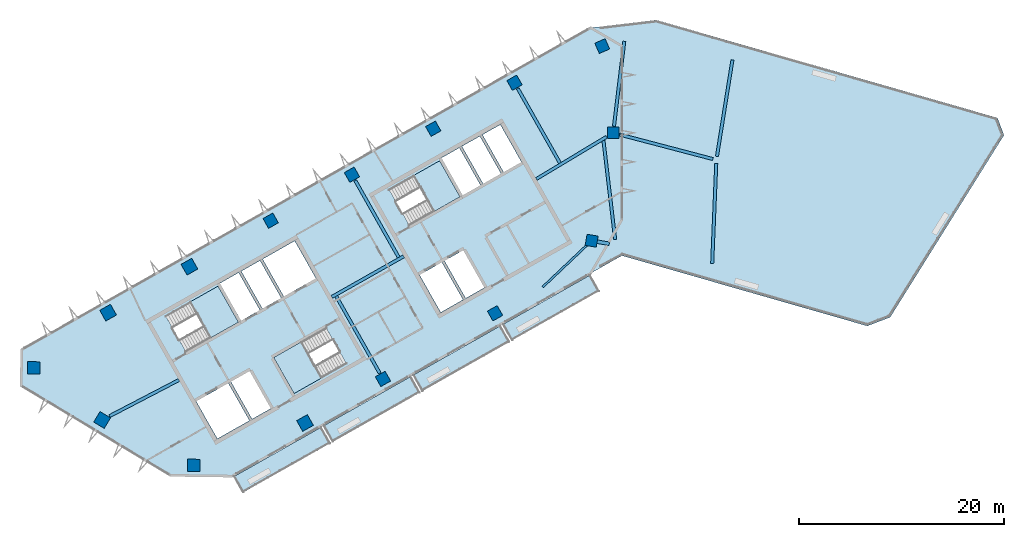
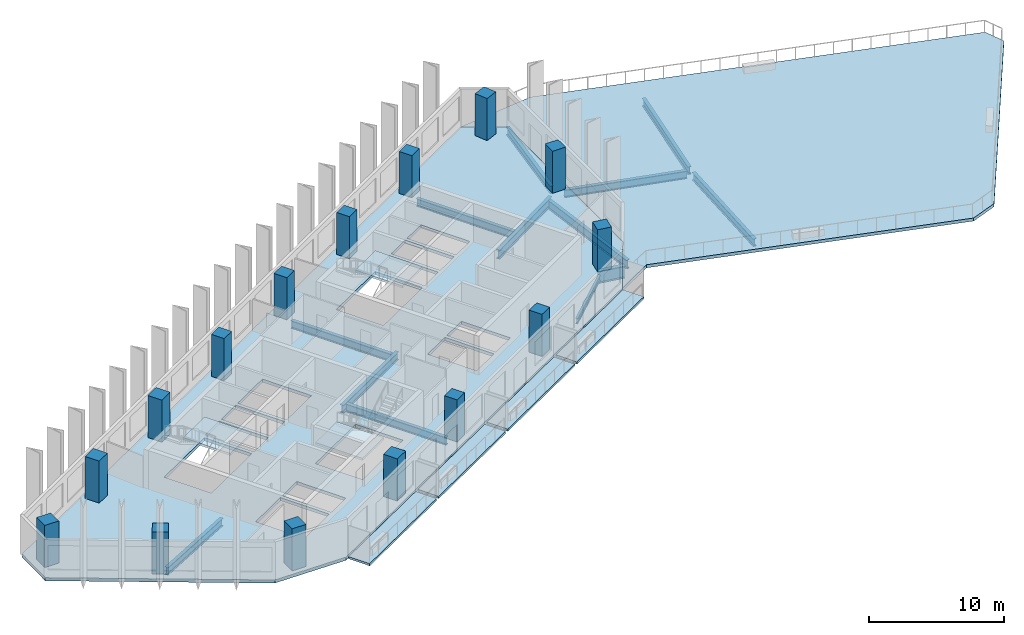
# One storey, part 1 of 8: 15 columns, 13 beams, 9 slabs, 3 elements without a shape of their own.
"""IFC4 building model written with IfcOpenShell, lengths in metres."""

import ifcopenshell
import ifcopenshell.guid

model = None  # the IFC model being written
_history = None  # IfcOwnerHistory: only IFC2X3 demands one
_inside = {}  # id of a spatial element -> (the spatial element, [elements in it])
_under = {}  # id of a project, library or spatial element -> (it, [spatial elements below it])
_declared = {}  # id of a project -> (the project, [libraries it declares])
_typed = {}  # id of a type object -> (the type object, [elements of that type])
_made_of = {}  # id of a material, layer set ... -> (it, [elements and type objects made of it])


def new_model(schema):
    """Start an empty IFC model of exactly this schema.

    Asked for "IFC4X3", IfcOpenShell would pick the latest addendum, in which some entities
    have other attributes; the version numbers below select the first issue.
    IFC2X3 requires an IfcOwnerHistory on every rooted entity: one is made here for all.
    """
    global model, _history
    if schema == "IFC4X3":
        model = ifcopenshell.file(schema_version=(4, 3, 0, 0))
    else:
        model = ifcopenshell.file(schema=schema)
    _inside.clear()
    _under.clear()
    _declared.clear()
    _typed.clear()
    _made_of.clear()
    _history = None
    if model.schema == "IFC2X3":
        org = make("IfcOrganization", Name="unknown")
        user = make(
            "IfcPersonAndOrganization",
            ThePerson=make("IfcPerson", FamilyName="unknown"),
            TheOrganization=org,
        )
        app = make(
            "IfcApplication",
            ApplicationDeveloper=org,
            Version="unknown",
            ApplicationFullName="unknown",
            ApplicationIdentifier="unknown",
        )
        _history = make(
            "IfcOwnerHistory",
            OwningUser=user,
            OwningApplication=app,
            ChangeAction="ADDED",
            CreationDate=0,
        )
    return model


def make(cls, **values):
    """One entity of the class cls with the attributes given. An attribute that is None is left unset."""
    return model.create_entity(
        cls, **{name: value for name, value in values.items() if value is not None}
    )


def rooted(cls, **values):
    """An entity with a GlobalId (a new one), such as an element, a storey or a relation."""
    return make(cls, GlobalId=ifcopenshell.guid.new(), OwnerHistory=_history, **values)


def si_unit(unit_type, name, prefix=None):
    """IfcSIUnit, for example si_unit("LENGTHUNIT", "METRE", prefix="MILLI")."""
    return make("IfcSIUnit", UnitType=unit_type, Prefix=prefix, Name=name)


def assignment(units):
    """IfcUnitAssignment: the units of a project."""
    return None if units is None else make("IfcUnitAssignment", Units=units)


def point(xyz):
    """IfcCartesianPoint."""
    return None if xyz is None else make("IfcCartesianPoint", Coordinates=xyz)


def direction(xyz):
    """IfcDirection."""
    return None if xyz is None else make("IfcDirection", DirectionRatios=xyz)


def frame(location, z_axis=None, x_axis=None):
    """IfcAxis2Placement3D, a coordinate frame: its origin and axes. An axis left out is left unset."""
    return make(
        "IfcAxis2Placement3D",
        Location=point(location),
        Axis=direction(z_axis),
        RefDirection=direction(x_axis),
    )


def frame_2d(location, x_axis=None):
    """IfcAxis2Placement2D, a coordinate frame in the plane: its origin and x axis."""
    return make(
        "IfcAxis2Placement2D", Location=point(location), RefDirection=direction(x_axis)
    )


def origin():
    """The frame at (0, 0, 0) with its axes left unset."""
    return frame((0.0, 0.0, 0.0))


def origin_2d():
    """The frame at (0, 0) in the plane with its x axis left unset."""
    return frame_2d((0.0, 0.0))


def place(relative_to, where):
    """IfcLocalPlacement: puts the frame where relative to a parent placement (None: the world)."""
    return make(
        "IfcLocalPlacement", PlacementRelTo=relative_to, RelativePlacement=where
    )


def context(
    kind, dimensions, precision=None, world=None, true_north=None, identifier=None
):
    """IfcGeometricRepresentationContext, for example the 3D "Model" context."""
    return make(
        "IfcGeometricRepresentationContext",
        ContextIdentifier=identifier,
        ContextType=kind,
        CoordinateSpaceDimension=dimensions,
        Precision=precision,
        WorldCoordinateSystem=world,
        TrueNorth=true_north,
    )


def subcontext(parent, identifier, kind, view, scale=None):
    """IfcGeometricRepresentationSubContext, for example "Body" below "Model"."""
    return make(
        "IfcGeometricRepresentationSubContext",
        ContextIdentifier=identifier,
        ContextType=kind,
        ParentContext=parent,
        TargetScale=scale,
        TargetView=view,
    )


def project(units=None, contexts=None):
    """IfcProject with its units and contexts."""
    return rooted(
        "IfcProject",
        Name="project",
        RepresentationContexts=contexts,
        UnitsInContext=assignment(units),
    )


def spatial(cls, under=None, at=None, **own):
    """A site, building, storey or space (cls), placed at a placement, below another one or the project."""
    s = rooted(cls, ObjectPlacement=at, **own)
    if under is not None:
        _under.setdefault(under.id(), (under, []))[1].append(s)
    return s


def polyline(points):
    """IfcPolyline through the points."""
    return make("IfcPolyline", Points=[point(p) for p in points])


def profile(cls, at=None, kind="AREA", **sizes):
    """A parametric profile (cls). Its sizes go by their IFC names, for example OverallWidth=200.0."""
    return make(cls, ProfileType=kind, Position=at, **sizes)


def rectangle(**sizes):
    """IfcRectangleProfileDef."""
    return profile("IfcRectangleProfileDef", **sizes)


def i_section(**sizes):
    """IfcIShapeProfileDef."""
    return profile("IfcIShapeProfileDef", **sizes)


def outline(outer, holes=None, kind="AREA"):
    """IfcArbitraryClosedProfileDef: a profile drawn as a closed curve; with holes, ...WithVoids."""
    if holes is None:
        return make("IfcArbitraryClosedProfileDef", ProfileType=kind, OuterCurve=outer)
    return make(
        "IfcArbitraryProfileDefWithVoids",
        ProfileType=kind,
        OuterCurve=outer,
        InnerCurves=holes,
    )


def extrude(swept, where, along, depth):
    """IfcExtrudedAreaSolid: the profile swept, set in the frame where, extruded along a direction by depth."""
    return make(
        "IfcExtrudedAreaSolid",
        SweptArea=swept,
        Position=where,
        ExtrudedDirection=direction(along),
        Depth=depth,
    )


def shape(context_of_items, identifier, shape_type, items):
    """IfcShapeRepresentation: the items that make up one representation, for example the "Body"."""
    return make(
        "IfcShapeRepresentation",
        ContextOfItems=context_of_items,
        RepresentationIdentifier=identifier,
        RepresentationType=shape_type,
        Items=items,
    )


def material(Name=None, Category=None):
    """IfcMaterial."""
    return make("IfcMaterial", Name=Name, Category=Category)


def layer(
    of_material, thickness, ventilated=None, Name=None, Category=None, Priority=None
):
    """IfcMaterialLayer: one layer of a wall or slab, of a material (None: an air gap)."""
    return make(
        "IfcMaterialLayer",
        Material=of_material,
        LayerThickness=thickness,
        IsVentilated=ventilated,
        Name=Name,
        Category=Category,
        Priority=Priority,
    )


def layer_set(layers, Name=None):
    """IfcMaterialLayerSet."""
    return make("IfcMaterialLayerSet", MaterialLayers=layers, LayerSetName=Name)


def material_profile(
    of_material, cross_section, Name=None, Category=None, Priority=None
):
    """IfcMaterialProfile: a cross section and its material."""
    return make(
        "IfcMaterialProfile",
        Name=Name,
        Material=of_material,
        Profile=cross_section,
        Priority=Priority,
        Category=Category,
    )


def profile_set(profiles, Name=None, composite=None):
    """IfcMaterialProfileSet."""
    return make(
        "IfcMaterialProfileSet",
        Name=Name,
        MaterialProfiles=profiles,
        CompositeProfile=composite,
    )


def made_of(thing, what):
    """Note that an element or type object is made of a material, layer set ...; save() writes the relation."""
    if what is not None:
        _made_of.setdefault(what.id(), (what, []))[1].append(thing)
    return thing


def type_object(cls, material=None, **own):
    """A type object (cls), such as IfcWallType, which elements share."""
    return made_of(rooted(cls, **own), material)


def element(
    cls,
    number,
    at=None,
    inside=None,
    cuts=None,
    type_object=None,
    material=None,
    context=None,
    identifier="Body",
    shape_type=None,
    held_by="IfcProductDefinitionShape",
    body=None,
    shapes=None,
    **own,
):
    """One element of the class cls, such as IfcWall. Its Tag is "e" and its number.

    at: its placement. inside: the storey or other place that contains it. cuts: it is an
    opening in that element (IfcRelVoidsElement). A single representation is given by context,
    identifier, shape_type and body (its items); several are given by shapes. held_by: the class
    of the entity that holds the representations. save() writes the other relations.
    """
    e = rooted(cls, Tag="e%d" % number, ObjectPlacement=at, **own)
    if body is not None:
        shapes = [shape(context, identifier, shape_type, body)]
    if shapes is not None:
        e.Representation = make(held_by, Representations=shapes)
    if inside is not None:
        _inside.setdefault(inside.id(), (inside, []))[1].append(e)
    if cuts is not None:
        rooted(
            "IfcRelVoidsElement", RelatingBuildingElement=cuts, RelatedOpeningElement=e
        )
    if type_object is not None:
        _typed.setdefault(type_object.id(), (type_object, []))[1].append(e)
    return made_of(e, material)


def aggregate(whole, parts):
    """IfcRelAggregates: a whole, such as a stair, and the parts it consists of."""
    return rooted("IfcRelAggregates", RelatingObject=whole, RelatedObjects=parts)


def save(model, path):
    """Write the relations noted so far, then the file.

    IfcRelAggregates (storeys below a building ...), IfcRelContainedInSpatialStructure (elements
    in a storey), IfcRelDefinesByType, IfcRelAssociatesMaterial and IfcRelDeclares: one each for
    every whole, place, type object, material and project.
    """
    for whole, parts in _under.values():
        aggregate(whole, parts)
    for where, things in _inside.values():
        rooted(
            "IfcRelContainedInSpatialStructure",
            RelatedElements=things,
            RelatingStructure=where,
        )
    for kind, things in _typed.values():
        rooted("IfcRelDefinesByType", RelatedObjects=things, RelatingType=kind)
    for what, things in _made_of.values():
        rooted("IfcRelAssociatesMaterial", RelatedObjects=things, RelatingMaterial=what)
    for by, libraries in _declared.values():
        rooted("IfcRelDeclares", RelatingContext=by, RelatedDefinitions=libraries)
    model.write(path)


model = new_model("IFC4")

# Units and contexts
model_context = context("Model", 3, precision=1e-05, world=origin(), true_north=direction((0.0, 1.0)))
body_context = subcontext(model_context, "Body", "Model", "MODEL_VIEW")
ifc_project = project(units=[si_unit("LENGTHUNIT", "METRE"), si_unit("AREAUNIT", "SQUARE_METRE"), si_unit("VOLUMEUNIT", "CUBIC_METRE"), si_unit("PLANEANGLEUNIT", "RADIAN"), si_unit("MASSUNIT", "GRAM", prefix="KILO")], contexts=[model_context])

# Site, building, storey
site_placement = place(None, origin())
site = spatial("IfcSite", under=ifc_project, at=site_placement, CompositionType="ELEMENT")
building_placement = place(site_placement, origin())
building = spatial("IfcBuilding", under=site, at=building_placement, Name="Binnacle Exchange Tower", CompositionType="ELEMENT")
storey_placement = place(building_placement, frame((0.0, 0.0, 262.699951171875)))
storey = spatial("IfcBuildingStorey", under=building, at=storey_placement, Name="L58", CompositionType="ELEMENT", Elevation=262.699951171875)

# Columns
ifc_material_1 = material(Name="Concrete C60/75", Category="concrete")
ifc_material_profile_1 = material_profile(ifc_material_1, rectangle(XDim=1.10009765625, YDim=1.10009765625, at=origin_2d()), Name="Mega column 1100x1100 C60/75")
ifc_profile_set_1 = profile_set([ifc_material_profile_1], Name="Concrete C60/75")
column_type_1 = type_object("IfcColumnType", Name="Mega column 1100x1100 C60/75", PredefinedType="COLUMN", material=ifc_profile_set_1)
for number, where, z_axis, x_axis, name in (
    (1, (-10.4951171875, 64.901611328125, 0.0), (0.0, 0.0, 1.0), (-0.87035569594, -0.492423560103, 0.0), "S:COL:MC38:L58"),
    (2, (-18.44140625, 60.406005859375, 0.0), (0.0, 0.0, 1.0), (-0.87035569594, -0.492423560103, 0.0), "S:COL:MC29:L58"),
    (3, (-26.3876953125, 55.91015625, 0.0), (0.0, 0.0, 1.0), (-0.87035569594, -0.492423560103, 0.0), "S:COL:MC21:L58"),
    (4, (-34.333740234375, 51.414306640625, 0.0), (0.0, 0.0, 1.0), (-0.87035569594, -0.492423560103, 0.0), "S:COL:MC13:L58"),
    (5, (-23.35595703125, 35.9462890625, 0.0), (0.0, 0.0, 1.0), (0.87035569594, 0.492423560103, 0.0), "S:COL:MC16:L58"),
):
    element("IfcColumn", number, at=place(storey_placement, frame(where, z_axis=z_axis, x_axis=x_axis)), inside=storey, type_object=column_type_1, Name=name, PredefinedType="COLUMN", context=body_context, shape_type="SweptSolid", body=[
        extrude(rectangle(XDim=1.10009765625, YDim=1.10009765625, at=origin_2d()), origin(), (0.0, 0.0, 1.0), 3.800048828125),
    ])
column_1_placement = place(storey_placement, frame((-2.955322265625, 49.45556640625, -0.280029296875), z_axis=(0.0, 0.0, 1.0), x_axis=(-0.98522612636, 0.171258517854, 0.0)))
element("IfcColumn", 6, at=column_1_placement, inside=storey, type_object=column_type_1, Name="S:COL:MC43:L58", PredefinedType="COLUMN", context=body_context, shape_type="SweptSolid", body=[
    extrude(rectangle(XDim=1.10009765625, YDim=1.10009765625, at=origin_2d()), origin(), (0.0, 0.0, 1.0), 4.080078125),
])
column_2_placement = place(storey_placement, frame((-0.85009765625, 60.0, 0.0), z_axis=(0.0, 0.0, 1.0), x_axis=(0.0, 1.0, 0.0)))
element("IfcColumn", 7, at=column_2_placement, inside=storey, type_object=column_type_1, Name="S:COL:MC45:L58", PredefinedType="COLUMN", context=body_context, shape_type="SweptSolid", body=[
    extrude(rectangle(XDim=1.10009765625, YDim=1.10009765625, at=origin_2d()), origin(), (0.0, 0.0, 1.0), 3.800048828125),
])
for number, where, z_axis, x_axis, name in (
    (8, (-1.920166015625, 68.4833984375, -0.280029296875), (0.0, 0.0, 1.0), (-0.91471298536, -0.40410413808, 0.0), "S:COL:MC44:L58"),
    (9, (-12.39990234375, 42.36328125, -0.280029296875), (0.0, 0.0, 1.0), (0.87035569594, 0.492423560103, 0.0), "S:COL:MC30:L58"),
):
    element("IfcColumn", number, at=place(storey_placement, frame(where, z_axis=z_axis, x_axis=x_axis)), inside=storey, type_object=column_type_1, Name=name, PredefinedType="COLUMN", context=body_context, shape_type="SweptSolid", body=[
        extrude(rectangle(XDim=1.10009765625, YDim=1.10009765625, at=origin_2d()), origin(), (0.0, 0.0, 1.0), 4.080078125),
    ])
ifc_material_profile_2 = material_profile(ifc_material_1, rectangle(XDim=1.199951171875, YDim=1.199951171875, at=origin_2d()), Name="Mega column 1200x1200 C60/75")
ifc_profile_set_2 = profile_set([ifc_material_profile_2], Name="Concrete C60/75")
column_type_2 = type_object("IfcColumnType", Name="Mega column 1200x1200 C60/75", PredefinedType="COLUMN", material=ifc_profile_set_2)
for number, where, z_axis, x_axis, name in (
    (10, (-42.280029296875, 46.918701171875, 0.0), (0.0, 0.0, 1.0), (-0.87035569594, -0.492423560103, 0.0), "S:COL:MC08:L58"),
    (11, (-50.226318359375, 42.4228515625, 0.0), (0.0, 0.0, 1.0), (-0.87035569594, -0.492423560103, 0.0), "S:COL:MC04:L58"),
    (12, (-57.492919921875, 37.02734375, 0.0), (0.0, 0.0, 1.0), (-0.013089595571, -0.999914327574, 0.0), "S:COL:MC02:L58"),
    (13, (-50.81201171875, 31.930908203125, 0.0), (0.0, 0.0, 1.0), (0.857167300702, -0.51503807491, 0.0), "S:COL:MC01:L58"),
    (14, (-41.857666015625, 27.494873046875, 0.0), (0.0, 0.0, 1.0), (0.999914327574, -0.013089595571, 0.0), "S:COL:MC03:L58"),
    (15, (-30.9755859375, 31.63525390625, 0.0), (0.0, 0.0, 1.0), (0.87035569594, 0.492423560103, 0.0), "S:COL:MC07:L58"),
):
    element("IfcColumn", number, at=place(storey_placement, frame(where, z_axis=z_axis, x_axis=x_axis)), inside=storey, type_object=column_type_2, Name=name, PredefinedType="COLUMN", context=body_context, shape_type="SweptSolid", body=[
        extrude(rectangle(XDim=1.199951171875, YDim=1.199951171875, at=origin_2d()), origin(), (0.0, 0.0, 1.0), 3.800048828125),
    ])

# Beams
ifc_material_2 = material(Name="Steel S355 (SHN355)", Category="steel")
ifc_material_profile_3 = material_profile(ifc_material_2, i_section(OverallWidth=0.199951171875, OverallDepth=0.5, WebThickness=0.010009765625, FlangeThickness=0.01611328125, FilletRadius=0.02001953125, at=origin_2d()), Name="H 500x200x10x16")
ifc_profile_set_3 = profile_set([ifc_material_profile_3], Name="Steel S355 (SHN355)")
beam_type_1 = type_object("IfcBeamType", Name="Edge girder H 500x200x10x16 Steel S355 (SHN355)", PredefinedType="SPANDREL", material=ifc_profile_set_3)
beam_1_placement = place(storey_placement, frame((-3.45361328125, 48.98388671875, -0.530029296875), z_axis=(-0.726124255635, -0.687563499161, 0.0), x_axis=(0.687563499161, -0.726124255635, 0.0)))
element("IfcBeam", 16, at=beam_1_placement, inside=storey, type_object=beam_type_1, Name="S:BM:edge:L58:009", PredefinedType="SPANDREL", context=body_context, shape_type="SweptSolid", body=[
    extrude(i_section(OverallWidth=0.199951171875, OverallDepth=0.5, WebThickness=0.010009765625, FlangeThickness=0.01611328125, FilletRadius=0.02001953125, at=origin_2d()), origin(), (0.0, 0.0, 1.0), 5.9072265625),
])
ifc_material_profile_4 = material_profile(ifc_material_2, i_section(OverallWidth=0.300048828125, OverallDepth=0.699951171875, WebThickness=0.012939453125, FlangeThickness=0.02392578125, FilletRadius=0.028076171875, at=origin_2d()), Name="H 700x300x13x24")
ifc_profile_set_4 = profile_set([ifc_material_profile_4], Name="Steel S355 (SHN355)")
beam_type_2 = type_object("IfcBeamType", Name="Floor beam H 700x300x13x24 Steel S355 (SHN355)", PredefinedType="BEAM", material=ifc_profile_set_4)
beam_2_placement = place(storey_placement, frame((-10.175048828125, 64.3359375, -0.6298828125), z_axis=(0.492424391334, -0.870355225652, 0.0), x_axis=(0.870355225652, 0.492424391334, 0.0)))
element("IfcBeam", 17, at=beam_2_placement, inside=storey, type_object=beam_type_2, Name="S:BM:cross:L58:012", PredefinedType="BEAM", context=body_context, shape_type="SweptSolid", body=[
    extrude(i_section(OverallWidth=0.300048828125, OverallDepth=0.699951171875, WebThickness=0.012939453125, FlangeThickness=0.02392578125, FilletRadius=0.028076171875, at=origin_2d()), origin(), (0.0, 0.0, 1.0), 8.369384765625),
])
ifc_material_profile_5 = material_profile(ifc_material_2, i_section(OverallWidth=0.302001953125, OverallDepth=0.7080078125, WebThickness=0.014892578125, FlangeThickness=0.028076171875, FilletRadius=0.028076171875, at=origin_2d()), Name="H 708x302x15x28")
ifc_profile_set_5 = profile_set([ifc_material_profile_5], Name="Steel S355 (SHN355)")
beam_type_3 = type_object("IfcBeamType", Name="Floor beam H 708x302x15x28 Steel S355 (SHN355)", PredefinedType="BEAM", material=ifc_profile_set_5)
beam_3_placement = place(storey_placement, frame((-26.0673828125, 55.344482421875, -0.634033203125), z_axis=(0.492401028839, -0.870368443131, 0.0), x_axis=(0.870368443131, 0.492401028839, 0.0)))
element("IfcBeam", 18, at=beam_3_placement, inside=storey, type_object=beam_type_3, Name="S:BM:cross:L58:010", PredefinedType="BEAM", context=body_context, shape_type="SweptSolid", body=[
    extrude(i_section(OverallWidth=0.302001953125, OverallDepth=0.7080078125, WebThickness=0.014892578125, FlangeThickness=0.028076171875, FilletRadius=0.028076171875, at=origin_2d()), origin(), (0.0, 0.0, 1.0), 8.634033203125),
])
beam_4_placement = place(storey_placement, frame((-23.676025390625, 36.511962890625, -0.634033203125), z_axis=(-0.492422448747, 0.870356324714, 0.0), x_axis=(-0.870356324714, -0.492422448747, 0.0)))
element("IfcBeam", 19, at=beam_4_placement, inside=storey, type_object=beam_type_3, Name="S:BM:cross:L58:011", PredefinedType="BEAM", context=body_context, shape_type="SweptSolid", body=[
    extrude(i_section(OverallWidth=0.302001953125, OverallDepth=0.7080078125, WebThickness=0.014892578125, FlangeThickness=0.028076171875, FilletRadius=0.028076171875, at=origin_2d()), origin(), (0.0, 0.0, 1.0), 8.63427734375),
])
ifc_material_profile_6 = material_profile(ifc_material_2, i_section(OverallWidth=0.300048828125, OverallDepth=0.800048828125, WebThickness=0.013916015625, FlangeThickness=0.02587890625, FilletRadius=0.028076171875, at=origin_2d()), Name="H 800x300x14x26")
ifc_profile_set_6 = profile_set([ifc_material_profile_6], Name="Steel S355 (SHN355)")
beam_type_4 = type_object("IfcBeamType", Name="Floor beam H 800x300x14x26 Steel S355 (SHN355)", PredefinedType="BEAM", material=ifc_profile_set_6)
beam_5_placement = place(storey_placement, frame((-0.654541015625, 49.5830078125, -0.679931640625), z_axis=(-0.117538284625, 0.993068351951, 0.0), x_axis=(-0.993068351951, -0.117538284625, 0.0)))
element("IfcBeam", 20, at=beam_5_placement, inside=storey, type_object=beam_type_4, Name="S:BM:cross:L58:013", PredefinedType="BEAM", context=body_context, shape_type="SweptSolid", body=[
    extrude(i_section(OverallWidth=0.300048828125, OverallDepth=0.800048828125, WebThickness=0.013916015625, FlangeThickness=0.02587890625, FilletRadius=0.028076171875, at=origin_2d()), origin(), (0.0, 0.0, 1.0), 9.754150390625),
])
ifc_material_profile_7 = material_profile(ifc_material_2, i_section(OverallWidth=0.300048828125, OverallDepth=0.699951171875, WebThickness=0.012939453125, FlangeThickness=0.02392578125, FilletRadius=0.028076171875, at=origin_2d()), Name="H 700x300x13x24")
ifc_profile_set_7 = profile_set([ifc_material_profile_7], Name="Steel S355 (SHN355)")
beam_type_5 = type_object("IfcBeamType", Name="Spine girder H 700x300x13x24 Steel S355 (SHN355)", PredefinedType="BEAM", material=ifc_profile_set_7)
beam_6_placement = place(storey_placement, frame((-50.083740234375, 32.31005859375, -0.6298828125), z_axis=(0.886975994229, 0.46181553207, 0.0), x_axis=(-0.46181553207, 0.886975994229, 0.0)))
element("IfcBeam", 21, at=beam_6_placement, inside=storey, type_object=beam_type_5, Name="S:BM:spine:L58:002", PredefinedType="BEAM", context=body_context, shape_type="SweptSolid", body=[
    extrude(i_section(OverallWidth=0.300048828125, OverallDepth=0.699951171875, WebThickness=0.012939453125, FlangeThickness=0.02392578125, FilletRadius=0.028076171875, at=origin_2d()), origin(), (0.0, 0.0, 1.0), 7.6396484375),
])
beam_7_placement = place(storey_placement, frame((-0.77099609375, 60.64990234375, -0.6298828125), z_axis=(0.120632086068, 0.992697285083, 0.0), x_axis=(-0.992697285083, 0.120632086068, 0.0)))
element("IfcBeam", 22, at=beam_7_placement, inside=storey, type_object=beam_type_5, Name="S:BM:spine:L58:005", PredefinedType="BEAM", context=body_context, shape_type="SweptSolid", body=[
    extrude(i_section(OverallWidth=0.300048828125, OverallDepth=0.699951171875, WebThickness=0.012939453125, FlangeThickness=0.02392578125, FilletRadius=0.028076171875, at=origin_2d()), origin(), (0.0, 0.0, 1.0), 8.364501953125),
])
beam_8_placement = place(storey_placement, frame((-0.199951171875, 59.829345703125, -0.6298828125), z_axis=(0.967210495765, -0.253976095098, 0.0), x_axis=(0.253976095098, 0.967210495765, 0.0)))
element("IfcBeam", 23, at=beam_8_placement, inside=storey, type_object=beam_type_5, Name="S:BM:spine:L58:006", PredefinedType="BEAM", context=body_context, shape_type="SweptSolid", body=[
    extrude(i_section(OverallWidth=0.300048828125, OverallDepth=0.699951171875, WebThickness=0.012939453125, FlangeThickness=0.02392578125, FilletRadius=0.028076171875, at=origin_2d()), origin(), (0.0, 0.0, 1.0), 9.410888671875),
])
beam_9_placement = place(storey_placement, frame((9.226318359375, 56.990234375, -0.6298828125), z_axis=(-0.040566314933, -0.999176848257, 0.0), x_axis=(0.999176848257, -0.040566314933, 0.0)))
element("IfcBeam", 24, at=beam_9_placement, inside=storey, type_object=beam_type_5, Name="S:BM:spine:L58:007", PredefinedType="BEAM", context=body_context, shape_type="SweptSolid", body=[
    extrude(i_section(OverallWidth=0.300048828125, OverallDepth=0.699951171875, WebThickness=0.012939453125, FlangeThickness=0.02392578125, FilletRadius=0.028076171875, at=origin_2d()), origin(), (0.0, 0.0, 1.0), 9.76171875),
])
beam_10_placement = place(storey_placement, frame((9.296630859375, 57.6982421875, -0.6298828125), z_axis=(0.158432990954, 0.987369731852, 0.0), x_axis=(-0.987369731852, 0.158432990954, 0.0)))
element("IfcBeam", 25, at=beam_10_placement, inside=storey, type_object=beam_type_5, Name="S:BM:spine:L58:008", PredefinedType="BEAM", context=body_context, shape_type="SweptSolid", body=[
    extrude(i_section(OverallWidth=0.300048828125, OverallDepth=0.699951171875, WebThickness=0.012939453125, FlangeThickness=0.02392578125, FilletRadius=0.028076171875, at=origin_2d()), origin(), (0.0, 0.0, 1.0), 9.553955078125),
])
ifc_material_profile_8 = material_profile(ifc_material_2, i_section(OverallWidth=0.302001953125, OverallDepth=0.7080078125, WebThickness=0.014892578125, FlangeThickness=0.028076171875, FilletRadius=0.028076171875, at=origin_2d()), Name="H 708x302x15x28")
ifc_profile_set_8 = profile_set([ifc_material_profile_8], Name="Steel S355 (SHN355)")
beam_type_6 = type_object("IfcBeamType", Name="Spine girder H 708x302x15x28 Steel S355 (SHN355)", PredefinedType="BEAM", material=ifc_profile_set_8)
beam_11_placement = place(storey_placement, frame((-28.365478515625, 43.951416015625, -0.634033203125), z_axis=(0.870350319004, 0.492433063684, 0.0), x_axis=(-0.492433063684, 0.870350319004, 0.0)))
element("IfcBeam", 26, at=beam_11_placement, inside=storey, type_object=beam_type_6, Name="S:BM:spine:L58:003", PredefinedType="BEAM", context=body_context, shape_type="SweptSolid", body=[
    extrude(i_section(OverallWidth=0.302001953125, OverallDepth=0.7080078125, WebThickness=0.014892578125, FlangeThickness=0.028076171875, FilletRadius=0.028076171875, at=origin_2d()), origin(), (0.0, 0.0, 1.0), 8.0908203125),
])
ifc_material_profile_9 = material_profile(ifc_material_2, i_section(OverallWidth=0.300048828125, OverallDepth=0.800048828125, WebThickness=0.013916015625, FlangeThickness=0.02587890625, FilletRadius=0.028076171875, at=origin_2d()), Name="H 800x300x14x26")
ifc_profile_set_9 = profile_set([ifc_material_profile_9], Name="Steel S355 (SHN355)")
beam_type_7 = type_object("IfcBeamType", Name="Spine girder H 800x300x14x26 Steel S355 (SHN355)", PredefinedType="BEAM", material=ifc_profile_set_9)
beam_12_placement = place(storey_placement, frame((-8.36328125, 55.489990234375, -0.679931640625), z_axis=(0.857387955422, 0.514670665472, 0.0), x_axis=(-0.514670665472, 0.857387955422, 0.0)))
element("IfcBeam", 27, at=beam_12_placement, inside=storey, type_object=beam_type_7, Name="S:BM:spine:L58:004", PredefinedType="BEAM", context=body_context, shape_type="SweptSolid", body=[
    extrude(i_section(OverallWidth=0.300048828125, OverallDepth=0.800048828125, WebThickness=0.013916015625, FlangeThickness=0.02587890625, FilletRadius=0.028076171875, at=origin_2d()), origin(), (0.0, 0.0, 1.0), 8.0048828125),
])
ifc_material_3 = material(Name="Steel S355 (SM355)", Category="steel")
ifc_material_profile_10 = material_profile(ifc_material_3, i_section(OverallWidth=0.35009765625, OverallDepth=1.10009765625, WebThickness=0.02001953125, FlangeThickness=0.035888671875, at=origin_2d()), Name="BH 1100x350x20x36")
ifc_profile_set_10 = profile_set([ifc_material_profile_10], Name="Steel S355 (SM355)")
beam_type_8 = type_object("IfcBeamType", Name="Transfer girder BH 1100x350x20x36 Steel S355 (SM355)", PredefinedType="BEAM", material=ifc_profile_set_10)
beam_13_placement = place(storey_placement, frame((-1.22802734375, 49.1552734375, -0.829833984375), z_axis=(-0.98523474773, 0.171208912924, 0.0), x_axis=(-0.171208912924, -0.98523474773, 0.0)))
element("IfcBeam", 28, at=beam_13_placement, inside=storey, type_object=beam_type_8, Name="S:BM:transfer:L58:001", PredefinedType="BEAM", context=body_context, shape_type="SweptSolid", body=[
    extrude(i_section(OverallWidth=0.35009765625, OverallDepth=1.10009765625, WebThickness=0.02001953125, FlangeThickness=0.035888671875, at=origin_2d()), origin(), (0.0, 0.0, 1.0), 2.103271484375),
])

# Slabs
ifc_material_4 = material(Name="Concrete C35/45", Category="concrete")
ifc_layer_1 = layer(ifc_material_4, 0.199951171875)
ifc_layer_set_1 = layer_set([ifc_layer_1], Name="BALCONY SLAB 200")
slab_type_1 = type_object("IfcSlabType", Name="BALCONY SLAB 200", PredefinedType="FLOOR", material=ifc_layer_set_1)
slab_1_placement = place(storey_placement, frame((0.0, 0.0, -0.199951171875)))
element("IfcSlab", 29, at=slab_1_placement, inside=storey, type_object=slab_type_1, Name="Balcony BA-H07-00 L58", PredefinedType="FLOOR", context=body_context, shape_type="SweptSolid", body=[
    extrude(outline(polyline([(-37.90576171875, 26.410400390625), (-29.40380859375, 31.220458984375), (-28.517578125, 29.65380859375), (-37.019287109375, 24.84375), (-37.90576171875, 26.410400390625)])), origin(), (0.0, 0.0, 1.0), 0.199951171875),
])
slab_2_placement = place(storey_placement, frame((0.0, 0.0, -0.199951171875)))
element("IfcSlab", 30, at=slab_2_placement, inside=storey, type_object=slab_type_1, Name="Balcony BA-H07-01 L58", PredefinedType="FLOOR", context=body_context, shape_type="SweptSolid", body=[
    extrude(outline(polyline([(-29.142822265625, 31.3681640625), (-20.64111328125, 36.17822265625), (-19.754638671875, 34.611572265625), (-28.25634765625, 29.801513671875), (-29.142822265625, 31.3681640625)])), origin(), (0.0, 0.0, 1.0), 0.199951171875),
])
slab_3_placement = place(storey_placement, frame((0.0, 0.0, -0.199951171875)))
element("IfcSlab", 31, at=slab_3_placement, inside=storey, type_object=slab_type_1, Name="Balcony BA-H07-02 L58", PredefinedType="FLOOR", context=body_context, shape_type="SweptSolid", body=[
    extrude(outline(polyline([(-20.3798828125, 36.325927734375), (-11.878173828125, 41.135986328125), (-10.99169921875, 39.5693359375), (-19.493408203125, 34.759521484375), (-20.3798828125, 36.325927734375)])), origin(), (0.0, 0.0, 1.0), 0.199951171875),
])
slab_4_placement = place(storey_placement, frame((0.0, 0.0, -0.199951171875)))
element("IfcSlab", 32, at=slab_4_placement, inside=storey, type_object=slab_type_1, Name="Balcony BA-H07-03 L58", PredefinedType="FLOOR", context=body_context, shape_type="SweptSolid", body=[
    extrude(outline(polyline([(-11.616943359375, 41.28369140625), (-3.115234375, 46.093994140625), (-2.22900390625, 44.527099609375), (-10.730712890625, 39.717041015625), (-11.616943359375, 41.28369140625)])), origin(), (0.0, 0.0, 1.0), 0.199951171875),
])
ifc_layer_2 = layer(ifc_material_4, 0.280029296875)
ifc_layer_set_2 = layer_set([ifc_layer_2], Name="Floor slab 280 Concrete C35/45")
slab_type_2 = type_object("IfcSlabType", Name="Floor slab 280 Concrete C35/45", PredefinedType="FLOOR", material=ifc_layer_set_2)
slab_5_placement = place(storey_placement, frame((0.0, 0.0, -0.280029296875)))
element("IfcSlab", 33, at=slab_5_placement, inside=storey, type_object=slab_type_2, Name="S:SL:L58:01", PredefinedType="FLOOR", context=body_context, shape_type="SweptSolid", body=[
    extrude(outline(polyline([(-38.097900390625, 26.4453125), (-44.14404296875, 26.5244140625), (-58.716064453125, 35.280029296875), (-58.669921875, 38.80615234375), (-3.046142578125, 70.276611328125), (0.0, 68.5), (0.0, 51.5), (-3.046142578125, 46.276611328125), (-38.097900390625, 26.4453125)]), holes=[polyline([(-38.4794921875, 35.529296875), (-41.61279296875, 33.756591796875), (-39.544677734375, 30.10107421875), (-36.411376953125, 31.873779296875), (-38.4794921875, 35.529296875)]), polyline([(-34.322509765625, 33.0556640625), (-36.390625, 36.711181640625), (-38.21826171875, 35.677001953125), (-36.150146484375, 32.021484375), (-34.322509765625, 33.0556640625)]), polyline([(-34.040771484375, 38.04052734375), (-32.04638671875, 34.515625), (-26.9287109375, 37.4111328125), (-28.923095703125, 40.93603515625), (-34.040771484375, 38.04052734375)]), polyline([(-39.480712890625, 45.01611328125), (-44.598388671875, 42.12060546875), (-42.604248046875, 38.595703125), (-37.486572265625, 41.4912109375), (-39.480712890625, 45.01611328125)]), polyline([(-35.397705078125, 42.673095703125), (-37.4658203125, 46.32861328125), (-39.293701171875, 45.29443359375), (-37.225341796875, 41.638916015625), (-35.397705078125, 42.673095703125)]), polyline([(-33.308837890625, 43.854736328125), (-35.376953125, 47.51025390625), (-37.20458984375, 46.476318359375), (-35.136474609375, 42.82080078125), (-33.308837890625, 43.854736328125)]), polyline([(-31.982666015625, 49.430908203125), (-35.115966796875, 47.657958984375), (-33.047607421875, 44.00244140625), (-29.914306640625, 45.775390625), (-31.982666015625, 49.430908203125)]), polyline([(-15.53076171875, 43.6875), (-17.598876953125, 47.343017578125), (-19.77490234375, 46.11181640625), (-17.70654296875, 42.456298828125), (-15.53076171875, 43.6875)]), polyline([(-13.44189453125, 44.869384765625), (-15.510009765625, 48.52490234375), (-17.337890625, 47.49072265625), (-15.26953125, 43.835205078125), (-13.44189453125, 44.869384765625)]), polyline([(-15.822509765625, 53.748046875), (-17.81689453125, 57.27294921875), (-22.760498046875, 54.47607421875), (-20.76611328125, 50.950927734375), (-15.822509765625, 53.748046875)]), polyline([(-13.82080078125, 54.880615234375), (-15.888916015625, 58.5361328125), (-17.629638671875, 57.55126953125), (-15.5615234375, 53.895751953125), (-13.82080078125, 54.880615234375)]), polyline([(-11.819091796875, 56.01318359375), (-13.88720703125, 59.668701171875), (-15.6279296875, 58.683837890625), (-13.559814453125, 55.0283203125), (-11.819091796875, 56.01318359375)]), polyline([(-9.817138671875, 57.145751953125), (-11.885498046875, 60.80126953125), (-13.626220703125, 59.81640625), (-11.557861328125, 56.160888671875), (-9.817138671875, 57.145751953125)])]), origin(), (0.0, 0.0, 1.0), 0.280029296875),
])

# Stair, slab
stair_type = type_object("IfcStairType", Name="STAIR 22 RISERS 173", PredefinedType="HALF_TURN_STAIR", material=ifc_material_4)
stair_1_placement = place(storey_placement, origin())
stair_1 = element("IfcStair", 34, at=stair_1_placement, inside=storey, type_object=stair_type, Name="L58 Escape stair A1", PredefinedType="HALF_TURN_STAIR")
ifc_layer_3 = layer(ifc_material_4, 0.199951171875)
ifc_layer_set_3 = layer_set([ifc_layer_3], Name="STAIR LANDING 200")
slab_type_3 = type_object("IfcSlabType", Name="STAIR LANDING 200", PredefinedType="LANDING", material=ifc_layer_set_3)
slab_6_placement = place(storey_placement, frame((0.0, 0.0, 1.699951171875)))
slab_6 = element("IfcSlab", 35, at=slab_6_placement, type_object=slab_type_3, Name="STA1 landing 1", PredefinedType="LANDING", context=body_context, shape_type="SweptSolid", body=[
    extrude(outline(polyline([(-40.2021484375, 39.954833984375), (-37.486572265625, 41.4912109375), (-39.48095703125, 45.01611328125), (-42.1962890625, 43.479736328125), (-40.2021484375, 39.954833984375)])), origin(), (0.0, 0.0, 1.0), 0.2001953125),
])
aggregate(stair_1, [slab_6])

stair_2_placement = place(storey_placement, origin())
stair_2 = element("IfcStair", 36, at=stair_2_placement, inside=storey, type_object=stair_type, Name="L58 Escape stair A2", PredefinedType="HALF_TURN_STAIR")
slab_7_placement = place(storey_placement, frame((0.0, 0.0, 1.699951171875)))
slab_7 = element("IfcSlab", 37, at=slab_7_placement, type_object=slab_type_3, Name="STA2 landing 1", PredefinedType="LANDING", context=body_context, shape_type="SweptSolid", body=[
    extrude(outline(polyline([(-31.3251953125, 39.576904296875), (-34.040771484375, 38.04052734375), (-32.04638671875, 34.515625), (-29.330810546875, 36.052001953125), (-31.3251953125, 39.576904296875)])), origin(), (0.0, 0.0, 1.0), 0.2001953125),
])
aggregate(stair_2, [slab_7])

stair_3_placement = place(storey_placement, origin())
stair_3 = element("IfcStair", 38, at=stair_3_placement, inside=storey, type_object=stair_type, Name="L58 Escape stair C1", PredefinedType="HALF_TURN_STAIR")
slab_8_placement = place(storey_placement, frame((0.0, 0.0, 1.699951171875)))
slab_8 = element("IfcSlab", 39, at=slab_8_placement, type_object=slab_type_3, Name="STC1 landing 1", PredefinedType="LANDING", context=body_context, shape_type="SweptSolid", body=[
    extrude(outline(polyline([(-18.364013671875, 52.31005859375), (-15.822509765625, 53.748046875), (-17.81689453125, 57.27294921875), (-20.3583984375, 55.8349609375), (-18.364013671875, 52.31005859375)])), origin(), (0.0, 0.0, 1.0), 0.2001953125),
])
aggregate(stair_3, [slab_8])

# Slab
ifc_layer_4 = layer(ifc_material_4, 0.280029296875)
ifc_layer_set_4 = layer_set([ifc_layer_4], Name="Terrace slab 280 Concrete C35/45")
slab_type_4 = type_object("IfcSlabType", Name="Terrace slab 280 Concrete C35/45", PredefinedType="ROOF", material=ifc_layer_set_4)
slab_9_placement = place(storey_placement, frame((0.0, 0.0, -0.280029296875)))
element("IfcSlab", 40, at=slab_9_placement, inside=storey, type_object=slab_type_4, Name="TERRACE T2 slab", PredefinedType="ROOF", context=body_context, shape_type="SweptSolid", body=[
    extrude(outline(polyline([(3.364501953125, 71.035400390625), (36.71240234375, 61.472900390625), (37.359375, 59.787353515625), (26.23095703125, 41.978515625), (23.994140625, 41.119873046875), (0.0, 48.0), (-3.046142578125, 46.276611328125), (0.0, 51.5), (0.0, 68.5), (-3.046142578125, 70.276611328125), (3.364501953125, 71.035400390625)])), origin(), (0.0, 0.0, 1.0), 0.280029296875),
])

save(model, "model.ifc")
